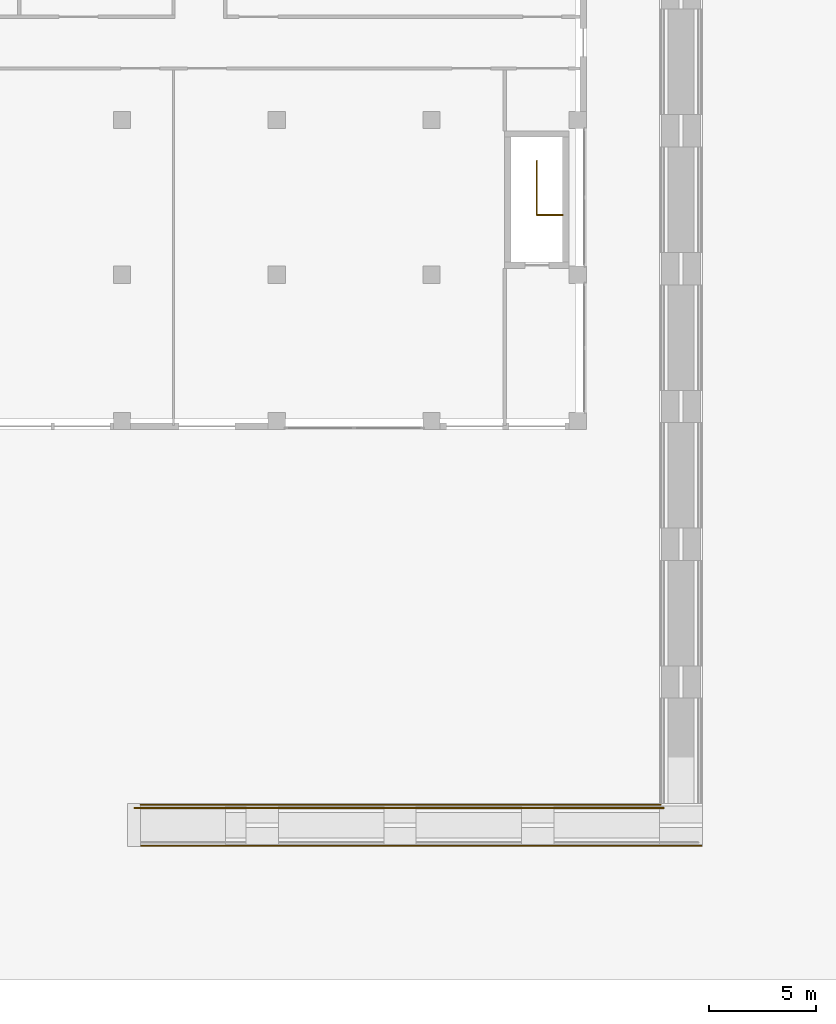
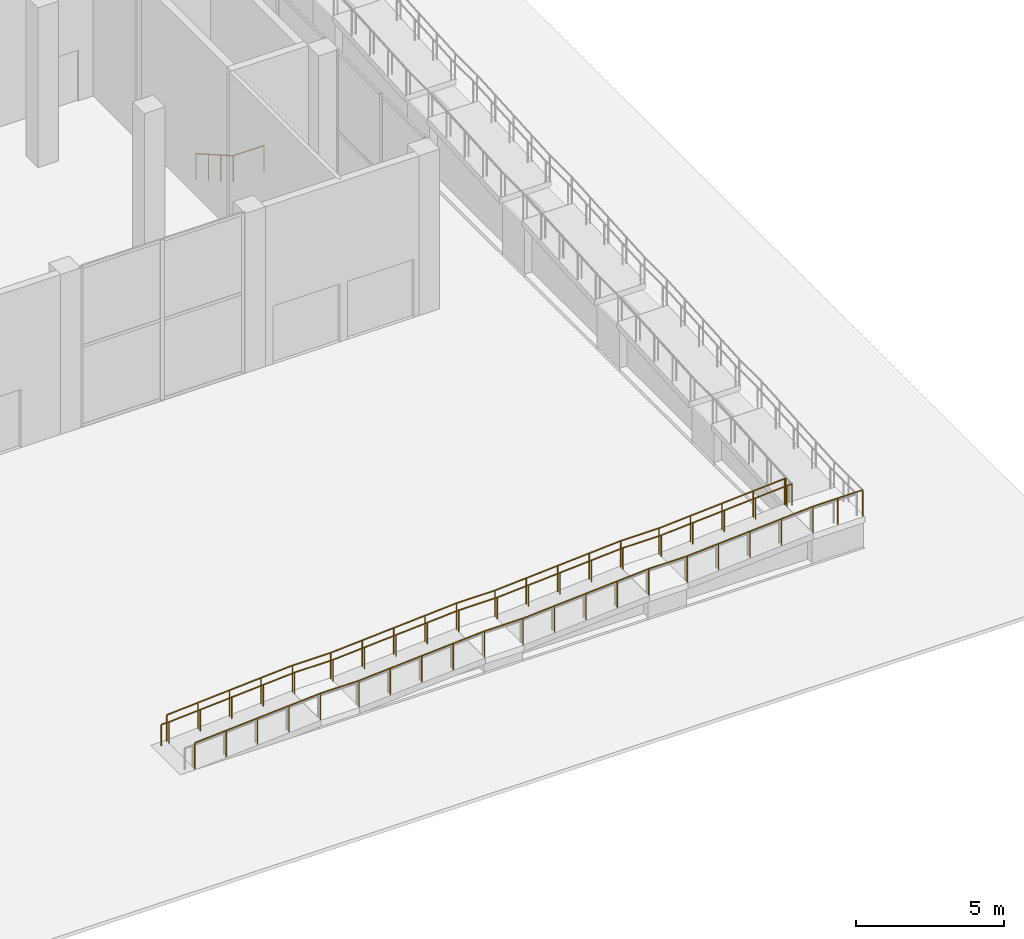
# One storey, part 37 of 44: 4 railings.
"""IFC4 building model written with IfcOpenShell, lengths in metres."""

from ifc_helpers import new_model, si_unit, direction, frame, origin, origin_2d, place, context, subcontext, project, spatial, circle, extrude, material, type_object, element, save


model = new_model("IFC4")

# Units and contexts
model_context = context("Model", 3, precision=1e-05, world=origin(), true_north=direction((0.0, 1.0)))
body_context = subcontext(model_context, "Body", "Model", "MODEL_VIEW")
ifc_project = project(units=[si_unit("LENGTHUNIT", "METRE"), si_unit("AREAUNIT", "SQUARE_METRE"), si_unit("VOLUMEUNIT", "CUBIC_METRE"), si_unit("PLANEANGLEUNIT", "RADIAN"), si_unit("MASSUNIT", "GRAM", prefix="KILO")], contexts=[model_context])

# Site, building, storey
site_placement = place(None, origin())
site = spatial("IfcSite", under=ifc_project, at=site_placement, CompositionType="ELEMENT")
building_placement = place(site_placement, origin())
building = spatial("IfcBuilding", under=site, at=building_placement, Name="Fustian Cross Tower", CompositionType="ELEMENT")
storey_placement = place(building_placement, origin())
storey = spatial("IfcBuildingStorey", under=building, at=storey_placement, Name="L00", CompositionType="ELEMENT", Elevation=0.0)

# Railings
ifc_material_1 = material(Name="Stainless steel", Category="steel")
railing_type_1 = type_object("IfcRailingType", Name="STAIR GUARD", PredefinedType="GUARDRAIL", material=ifc_material_1)
railing_1_placement = place(storey_placement, frame((48.10009765625, -37.89990234375, -1.43994140625)))
element("IfcRailing", 1, at=railing_1_placement, inside=storey, type_object=railing_type_1, Name="Stair ST12 guard", PredefinedType="GUARDRAIL", context=body_context, shape_type="SweptSolid", body=[
    extrude(circle(Radius=0.02490234375, at=origin_2d()), frame((0.0, 0.0, 1.0751953125), z_axis=(0.0, -0.868253494771, 0.496120820787), x_axis=(1.0, 0.0, 0.0)), (0.0, 0.0, 1.0), 2.90234375),
    extrude(circle(Radius=0.02490234375, at=origin_2d()), frame((0.0, -2.52001953125, 2.51513671875), z_axis=(1.0, 0.0, 0.0), x_axis=(0.0, 1.0, 0.0)), (0.0, 0.0, 1.0), 1.199951171875),
    extrude(circle(Radius=0.02001953125, at=origin_2d()), origin(), (0.0, 0.0, 1.0), 1.050048828125),
    extrude(circle(Radius=0.02001953125, at=origin_2d()), frame((0.0, -0.840087890625, 0.47998046875)), (0.0, 0.0, 1.0), 1.050048828125),
    extrude(circle(Radius=0.02001953125, at=origin_2d()), frame((0.0, -1.679931640625, 0.9599609375)), (0.0, 0.0, 1.0), 1.050048828125),
    extrude(circle(Radius=0.02001953125, at=origin_2d()), frame((0.0, -2.52001953125, 1.43994140625)), (0.0, 0.0, 1.0), 1.050048828125),
    extrude(circle(Radius=0.02001953125, at=origin_2d()), frame((1.199951171875, -2.52001953125, 1.43994140625)), (0.0, 0.0, 1.0), 1.050048828125),
])
ifc_material_2 = material(Name="Steel S355", Category="steel")
railing_type_2 = type_object("IfcRailingType", Name="STEEL GUARD 1100", PredefinedType="GUARDRAIL", material=ifc_material_2)
railing_2_placement = place(storey_placement, frame((29.66357421875, -67.85009765625, 0.0)))
element("IfcRailing", 2, at=railing_2_placement, inside=storey, type_object=railing_type_2, Name="Ramp guard inner south leg", PredefinedType="GUARDRAIL", context=body_context, shape_type="SweptSolid", body=[
    extrude(circle(Radius=0.02392578125, at=origin_2d()), frame((0.0, 0.0, 1.076171875), z_axis=(0.99778362065, 0.0, 0.066542064616), x_axis=(0.0, 1.0, 0.0)), (0.0, 0.0, 1.0), 4.920166015625),
    extrude(circle(Radius=0.02392578125, at=origin_2d()), frame((4.9091796875, 0.0, 1.4033203125), z_axis=(1.0, 0.0, 0.0), x_axis=(0.0, 1.0, 0.0)), (0.0, 0.0, 1.0), 1.5),
    extrude(circle(Radius=0.02392578125, at=origin_2d()), frame((6.4091796875, 0.0, 1.4033203125), z_axis=(0.997786914018, 0.0, 0.06649266286), x_axis=(0.0, 1.0, 0.0)), (0.0, 0.0, 1.0), 4.920166015625),
    extrude(circle(Radius=0.02392578125, at=origin_2d()), frame((11.318359375, 0.0, 1.73046875), z_axis=(1.0, 0.0, 0.0), x_axis=(0.0, 1.0, 0.0)), (0.0, 0.0, 1.0), 1.5),
    extrude(circle(Radius=0.02392578125, at=origin_2d()), frame((12.818359375, 0.0, 1.73046875), z_axis=(0.997783400918, 0.0, 0.066545359359), x_axis=(0.0, 1.0, 0.0)), (0.0, 0.0, 1.0), 4.919921875),
    extrude(circle(Radius=0.02392578125, at=origin_2d()), frame((17.727294921875, 0.0, 2.05810546875), z_axis=(1.0, 0.0, 0.0), x_axis=(0.0, 1.0, 0.0)), (0.0, 0.0, 1.0), 1.5),
    extrude(circle(Radius=0.02392578125, at=origin_2d()), frame((19.227294921875, 0.0, 2.05810546875), z_axis=(0.997786914018, 0.0, 0.06649266286), x_axis=(0.0, 1.0, 0.0)), (0.0, 0.0, 1.0), 4.920166015625),
    extrude(circle(Radius=0.02392578125, at=origin_2d()), frame((24.136474609375, 0.0, 2.38525390625), z_axis=(1.0, 0.0, 0.0), x_axis=(0.0, 1.0, 0.0)), (0.0, 0.0, 1.0), 0.050048828125),
    extrude(circle(Radius=0.02099609375, at=origin_2d()), origin(), (0.0, 0.0, 1.0), 1.052001953125),
    extrude(circle(Radius=0.02099609375, at=origin_2d()), frame((1.227294921875, 0.0, 0.081787109375)), (0.0, 0.0, 1.0), 1.052001953125),
    extrude(circle(Radius=0.02099609375, at=origin_2d()), frame((2.45458984375, 0.0, 0.16357421875)), (0.0, 0.0, 1.0), 1.052001953125),
    extrude(circle(Radius=0.02099609375, at=origin_2d()), frame((3.681884765625, 0.0, 0.24560546875)), (0.0, 0.0, 1.0), 1.052001953125),
    extrude(circle(Radius=0.02099609375, at=origin_2d()), frame((4.9091796875, 0.0, 0.327392578125)), (0.0, 0.0, 1.0), 1.052001953125),
    extrude(circle(Radius=0.02099609375, at=origin_2d()), frame((6.4091796875, 0.0, 0.327392578125)), (0.0, 0.0, 1.0), 1.052001953125),
    extrude(circle(Radius=0.02099609375, at=origin_2d()), frame((7.636474609375, 0.0, 0.4091796875)), (0.0, 0.0, 1.0), 1.052001953125),
    extrude(circle(Radius=0.02099609375, at=origin_2d()), frame((8.86376953125, 0.0, 0.490966796875)), (0.0, 0.0, 1.0), 1.052001953125),
    extrude(circle(Radius=0.02099609375, at=origin_2d()), frame((10.091064453125, 0.0, 0.57275390625)), (0.0, 0.0, 1.0), 1.052001953125),
    extrude(circle(Radius=0.02099609375, at=origin_2d()), frame((11.318359375, 0.0, 0.654541015625)), (0.0, 0.0, 1.0), 1.052001953125),
    extrude(circle(Radius=0.02099609375, at=origin_2d()), frame((12.818359375, 0.0, 0.654541015625)), (0.0, 0.0, 1.0), 1.052001953125),
    extrude(circle(Radius=0.02099609375, at=origin_2d()), frame((14.045654296875, 0.0, 0.736328125)), (0.0, 0.0, 1.0), 1.052001953125),
    extrude(circle(Radius=0.02099609375, at=origin_2d()), frame((15.27294921875, 0.0, 0.818359375)), (0.0, 0.0, 1.0), 1.052001953125),
    extrude(circle(Radius=0.02099609375, at=origin_2d()), frame((16.5, 0.0, 0.900146484375)), (0.0, 0.0, 1.0), 1.052001953125),
    extrude(circle(Radius=0.02099609375, at=origin_2d()), frame((17.727294921875, 0.0, 0.98193359375)), (0.0, 0.0, 1.0), 1.052001953125),
    extrude(circle(Radius=0.02099609375, at=origin_2d()), frame((19.227294921875, 0.0, 0.98193359375)), (0.0, 0.0, 1.0), 1.052001953125),
    extrude(circle(Radius=0.02099609375, at=origin_2d()), frame((20.45458984375, 0.0, 1.063720703125)), (0.0, 0.0, 1.0), 1.052001953125),
    extrude(circle(Radius=0.02099609375, at=origin_2d()), frame((21.681884765625, 0.0, 1.1455078125)), (0.0, 0.0, 1.0), 1.052001953125),
    extrude(circle(Radius=0.02099609375, at=origin_2d()), frame((22.9091796875, 0.0, 1.227294921875)), (0.0, 0.0, 1.0), 1.052001953125),
    extrude(circle(Radius=0.02099609375, at=origin_2d()), frame((24.136474609375, 0.0, 1.30908203125)), (0.0, 0.0, 1.0), 1.052001953125),
    extrude(circle(Radius=0.02099609375, at=origin_2d()), frame((24.1865234375, 0.0, 1.30908203125)), (0.0, 0.0, 1.0), 1.052001953125),
])
railing_3_placement = place(storey_placement, frame((29.66357421875, -69.75, 0.0)))
element("IfcRailing", 3, at=railing_3_placement, inside=storey, type_object=railing_type_2, Name="Ramp guard outer south leg", PredefinedType="GUARDRAIL", context=body_context, shape_type="SweptSolid", body=[
    extrude(circle(Radius=0.02392578125, at=origin_2d()), frame((0.0, 0.0, 1.076171875), z_axis=(0.99778362065, 0.0, 0.066542064616), x_axis=(0.0, 1.0, 0.0)), (0.0, 0.0, 1.0), 4.920166015625),
    extrude(circle(Radius=0.02392578125, at=origin_2d()), frame((4.9091796875, 0.0, 1.4033203125), z_axis=(1.0, 0.0, 0.0), x_axis=(0.0, 1.0, 0.0)), (0.0, 0.0, 1.0), 1.5),
    extrude(circle(Radius=0.02392578125, at=origin_2d()), frame((6.4091796875, 0.0, 1.4033203125), z_axis=(0.997786914018, 0.0, 0.06649266286), x_axis=(0.0, 1.0, 0.0)), (0.0, 0.0, 1.0), 4.920166015625),
    extrude(circle(Radius=0.02392578125, at=origin_2d()), frame((11.318359375, 0.0, 1.73046875), z_axis=(1.0, 0.0, 0.0), x_axis=(0.0, 1.0, 0.0)), (0.0, 0.0, 1.0), 1.5),
    extrude(circle(Radius=0.02392578125, at=origin_2d()), frame((12.818359375, 0.0, 1.73046875), z_axis=(0.997783400918, 0.0, 0.066545359359), x_axis=(0.0, 1.0, 0.0)), (0.0, 0.0, 1.0), 4.919921875),
    extrude(circle(Radius=0.02392578125, at=origin_2d()), frame((17.727294921875, 0.0, 2.05810546875), z_axis=(1.0, 0.0, 0.0), x_axis=(0.0, 1.0, 0.0)), (0.0, 0.0, 1.0), 1.5),
    extrude(circle(Radius=0.02392578125, at=origin_2d()), frame((19.227294921875, 0.0, 2.05810546875), z_axis=(0.997786914018, 0.0, 0.06649266286), x_axis=(0.0, 1.0, 0.0)), (0.0, 0.0, 1.0), 4.920166015625),
    extrude(circle(Radius=0.02392578125, at=origin_2d()), frame((24.136474609375, 0.0, 2.38525390625), z_axis=(1.0, 0.0, 0.0), x_axis=(0.0, 1.0, 0.0)), (0.0, 0.0, 1.0), 1.949951171875),
    extrude(circle(Radius=0.02099609375, at=origin_2d()), origin(), (0.0, 0.0, 1.0), 1.052001953125),
    extrude(circle(Radius=0.02099609375, at=origin_2d()), frame((1.227294921875, 0.0, 0.081787109375)), (0.0, 0.0, 1.0), 1.052001953125),
    extrude(circle(Radius=0.02099609375, at=origin_2d()), frame((2.45458984375, 0.0, 0.16357421875)), (0.0, 0.0, 1.0), 1.052001953125),
    extrude(circle(Radius=0.02099609375, at=origin_2d()), frame((3.681884765625, 0.0, 0.24560546875)), (0.0, 0.0, 1.0), 1.052001953125),
    extrude(circle(Radius=0.02099609375, at=origin_2d()), frame((4.9091796875, 0.0, 0.327392578125)), (0.0, 0.0, 1.0), 1.052001953125),
    extrude(circle(Radius=0.02099609375, at=origin_2d()), frame((6.4091796875, 0.0, 0.327392578125)), (0.0, 0.0, 1.0), 1.052001953125),
    extrude(circle(Radius=0.02099609375, at=origin_2d()), frame((7.636474609375, 0.0, 0.4091796875)), (0.0, 0.0, 1.0), 1.052001953125),
    extrude(circle(Radius=0.02099609375, at=origin_2d()), frame((8.86376953125, 0.0, 0.490966796875)), (0.0, 0.0, 1.0), 1.052001953125),
    extrude(circle(Radius=0.02099609375, at=origin_2d()), frame((10.091064453125, 0.0, 0.57275390625)), (0.0, 0.0, 1.0), 1.052001953125),
    extrude(circle(Radius=0.02099609375, at=origin_2d()), frame((11.318359375, 0.0, 0.654541015625)), (0.0, 0.0, 1.0), 1.052001953125),
    extrude(circle(Radius=0.02099609375, at=origin_2d()), frame((12.818359375, 0.0, 0.654541015625)), (0.0, 0.0, 1.0), 1.052001953125),
    extrude(circle(Radius=0.02099609375, at=origin_2d()), frame((14.045654296875, 0.0, 0.736328125)), (0.0, 0.0, 1.0), 1.052001953125),
    extrude(circle(Radius=0.02099609375, at=origin_2d()), frame((15.27294921875, 0.0, 0.818359375)), (0.0, 0.0, 1.0), 1.052001953125),
    extrude(circle(Radius=0.02099609375, at=origin_2d()), frame((16.5, 0.0, 0.900146484375)), (0.0, 0.0, 1.0), 1.052001953125),
    extrude(circle(Radius=0.02099609375, at=origin_2d()), frame((17.727294921875, 0.0, 0.98193359375)), (0.0, 0.0, 1.0), 1.052001953125),
    extrude(circle(Radius=0.02099609375, at=origin_2d()), frame((19.227294921875, 0.0, 0.98193359375)), (0.0, 0.0, 1.0), 1.052001953125),
    extrude(circle(Radius=0.02099609375, at=origin_2d()), frame((20.45458984375, 0.0, 1.063720703125)), (0.0, 0.0, 1.0), 1.052001953125),
    extrude(circle(Radius=0.02099609375, at=origin_2d()), frame((21.681884765625, 0.0, 1.1455078125)), (0.0, 0.0, 1.0), 1.052001953125),
    extrude(circle(Radius=0.02099609375, at=origin_2d()), frame((22.9091796875, 0.0, 1.227294921875)), (0.0, 0.0, 1.0), 1.052001953125),
    extrude(circle(Radius=0.02099609375, at=origin_2d()), frame((24.136474609375, 0.0, 1.30908203125)), (0.0, 0.0, 1.0), 1.052001953125),
    extrude(circle(Radius=0.02099609375, at=origin_2d()), frame((25.111328125, 0.0, 1.30908203125)), (0.0, 0.0, 1.0), 1.052001953125),
    extrude(circle(Radius=0.02099609375, at=origin_2d()), frame((26.08642578125, 0.0, 1.30908203125)), (0.0, 0.0, 1.0), 1.052001953125),
])
ifc_material_3 = material(Name="Steel S355", Category="steel")
railing_type_3 = type_object("IfcRailingType", Name="STEEL HANDRAIL 900", PredefinedType="HANDRAIL", material=ifc_material_3)
railing_4_placement = place(storey_placement, frame((29.363525390625, -68.0, 0.0)))
element("IfcRailing", 4, at=railing_4_placement, inside=storey, type_object=railing_type_3, Name="Ramp handrail H1 south leg", PredefinedType="HANDRAIL", context=body_context, shape_type="SweptSolid", body=[
    extrude(circle(Radius=0.02392578125, at=origin_2d()), frame((0.0, 0.0, 0.8759765625), z_axis=(1.0, 0.0, 0.0), x_axis=(0.0, 1.0, 0.0)), (0.0, 0.0, 1.0), 0.300048828125),
    extrude(circle(Radius=0.02392578125, at=origin_2d()), frame((0.300048828125, 0.0, 0.8759765625), z_axis=(0.99778362065, 0.0, 0.066542064616), x_axis=(0.0, 1.0, 0.0)), (0.0, 0.0, 1.0), 4.920166015625),
    extrude(circle(Radius=0.02392578125, at=origin_2d()), frame((5.209228515625, 0.0, 1.203125), z_axis=(1.0, 0.0, 0.0), x_axis=(0.0, 1.0, 0.0)), (0.0, 0.0, 1.0), 1.5),
    extrude(circle(Radius=0.02392578125, at=origin_2d()), frame((6.709228515625, 0.0, 1.203125), z_axis=(0.997786914018, 0.0, 0.06649266286), x_axis=(0.0, 1.0, 0.0)), (0.0, 0.0, 1.0), 4.920166015625),
    extrude(circle(Radius=0.02392578125, at=origin_2d()), frame((11.618408203125, 0.0, 1.5302734375), z_axis=(1.0, 0.0, 0.0), x_axis=(0.0, 1.0, 0.0)), (0.0, 0.0, 1.0), 1.5),
    extrude(circle(Radius=0.02392578125, at=origin_2d()), frame((13.118408203125, 0.0, 1.5302734375), z_axis=(0.997783400918, 0.0, 0.066545359359), x_axis=(0.0, 1.0, 0.0)), (0.0, 0.0, 1.0), 4.919921875),
    extrude(circle(Radius=0.02392578125, at=origin_2d()), frame((18.02734375, 0.0, 1.85791015625), z_axis=(1.0, 0.0, 0.0), x_axis=(0.0, 1.0, 0.0)), (0.0, 0.0, 1.0), 1.5),
    extrude(circle(Radius=0.02392578125, at=origin_2d()), frame((19.52734375, 0.0, 1.85791015625), z_axis=(0.997786914018, 0.0, 0.06649266286), x_axis=(0.0, 1.0, 0.0)), (0.0, 0.0, 1.0), 4.920166015625),
    extrude(circle(Radius=0.02392578125, at=origin_2d()), frame((24.4365234375, 0.0, 2.18505859375), z_axis=(1.0, 0.0, 0.0), x_axis=(0.0, 1.0, 0.0)), (0.0, 0.0, 1.0), 0.199951171875),
    extrude(circle(Radius=0.02099609375, at=origin_2d()), origin(), (0.0, 0.0, 1.0), 0.851806640625),
    extrude(circle(Radius=0.02099609375, at=origin_2d()), frame((0.300048828125, 0.0, 0.0)), (0.0, 0.0, 1.0), 0.851806640625),
    extrude(circle(Radius=0.02099609375, at=origin_2d()), frame((1.52734375, 0.0, 0.081787109375)), (0.0, 0.0, 1.0), 0.851806640625),
    extrude(circle(Radius=0.02099609375, at=origin_2d()), frame((2.754638671875, 0.0, 0.16357421875)), (0.0, 0.0, 1.0), 0.851806640625),
    extrude(circle(Radius=0.02099609375, at=origin_2d()), frame((3.98193359375, 0.0, 0.24560546875)), (0.0, 0.0, 1.0), 0.851806640625),
    extrude(circle(Radius=0.02099609375, at=origin_2d()), frame((5.209228515625, 0.0, 0.327392578125)), (0.0, 0.0, 1.0), 0.851806640625),
    extrude(circle(Radius=0.02099609375, at=origin_2d()), frame((6.709228515625, 0.0, 0.327392578125)), (0.0, 0.0, 1.0), 0.851806640625),
    extrude(circle(Radius=0.02099609375, at=origin_2d()), frame((7.9365234375, 0.0, 0.4091796875)), (0.0, 0.0, 1.0), 0.851806640625),
    extrude(circle(Radius=0.02099609375, at=origin_2d()), frame((9.163818359375, 0.0, 0.490966796875)), (0.0, 0.0, 1.0), 0.851806640625),
    extrude(circle(Radius=0.02099609375, at=origin_2d()), frame((10.39111328125, 0.0, 0.57275390625)), (0.0, 0.0, 1.0), 0.851806640625),
    extrude(circle(Radius=0.02099609375, at=origin_2d()), frame((11.618408203125, 0.0, 0.654541015625)), (0.0, 0.0, 1.0), 0.851806640625),
    extrude(circle(Radius=0.02099609375, at=origin_2d()), frame((13.118408203125, 0.0, 0.654541015625)), (0.0, 0.0, 1.0), 0.851806640625),
    extrude(circle(Radius=0.02099609375, at=origin_2d()), frame((14.345703125, 0.0, 0.736328125)), (0.0, 0.0, 1.0), 0.851806640625),
    extrude(circle(Radius=0.02099609375, at=origin_2d()), frame((15.57275390625, 0.0, 0.818359375)), (0.0, 0.0, 1.0), 0.851806640625),
    extrude(circle(Radius=0.02099609375, at=origin_2d()), frame((16.800048828125, 0.0, 0.900146484375)), (0.0, 0.0, 1.0), 0.851806640625),
    extrude(circle(Radius=0.02099609375, at=origin_2d()), frame((18.02734375, 0.0, 0.98193359375)), (0.0, 0.0, 1.0), 0.851806640625),
    extrude(circle(Radius=0.02099609375, at=origin_2d()), frame((19.52734375, 0.0, 0.98193359375)), (0.0, 0.0, 1.0), 0.851806640625),
    extrude(circle(Radius=0.02099609375, at=origin_2d()), frame((20.754638671875, 0.0, 1.063720703125)), (0.0, 0.0, 1.0), 0.851806640625),
    extrude(circle(Radius=0.02099609375, at=origin_2d()), frame((21.98193359375, 0.0, 1.1455078125)), (0.0, 0.0, 1.0), 0.851806640625),
    extrude(circle(Radius=0.02099609375, at=origin_2d()), frame((23.209228515625, 0.0, 1.227294921875)), (0.0, 0.0, 1.0), 0.851806640625),
    extrude(circle(Radius=0.02099609375, at=origin_2d()), frame((24.4365234375, 0.0, 1.30908203125)), (0.0, 0.0, 1.0), 0.851806640625),
    extrude(circle(Radius=0.02099609375, at=origin_2d()), frame((24.636474609375, 0.0, 1.30908203125)), (0.0, 0.0, 1.0), 0.851806640625),
])

save(model, "model.ifc")
